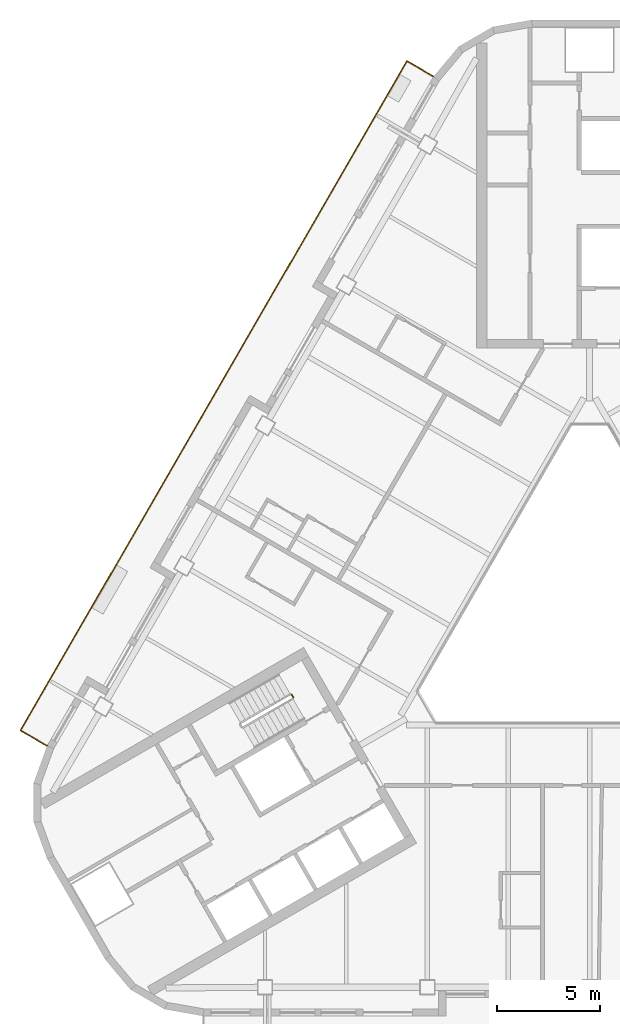
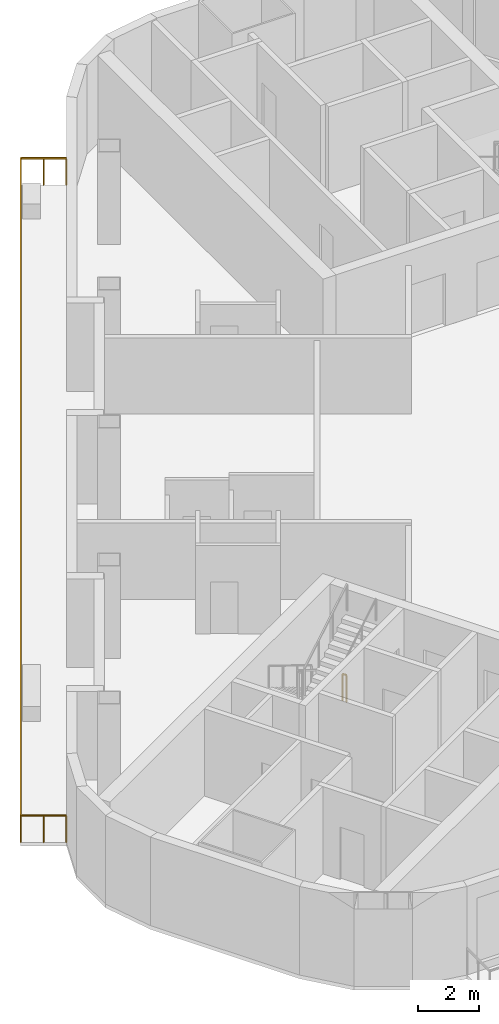
# One storey, part 11 of 14: 2 railings.
"""IFC4 building model written with IfcOpenShell, lengths in metres."""

from ifc_helpers import new_model, si_unit, direction, frame, origin, origin_2d, place, context, subcontext, project, spatial, rectangle, extrude, material, type_object, element, save


model = new_model("IFC4")

# Units and contexts
model_context = context("Model", 3, precision=1e-05, world=origin(), true_north=direction((0.0, 1.0)))
body_context = subcontext(model_context, "Body", "Model", "MODEL_VIEW")
ifc_project = project(units=[si_unit("LENGTHUNIT", "METRE"), si_unit("AREAUNIT", "SQUARE_METRE"), si_unit("VOLUMEUNIT", "CUBIC_METRE"), si_unit("PLANEANGLEUNIT", "RADIAN"), si_unit("MASSUNIT", "GRAM", prefix="KILO")], contexts=[model_context])

# Site, building, storey
site_placement = place(None, origin())
site = spatial("IfcSite", under=ifc_project, at=site_placement, CompositionType="ELEMENT")
building_placement = place(site_placement, origin())
building = spatial("IfcBuilding", under=site, at=building_placement, Name="Apuvela Tower Hotel", CompositionType="ELEMENT")
storey_placement = place(building_placement, frame((0.0, 0.0, 209.5)))
storey = spatial("IfcBuildingStorey", under=building, at=storey_placement, Name="L51", CompositionType="ELEMENT", Elevation=209.5)

# Railings
ifc_material_1 = material(Name="Steel S275 balustrade", Category="steel")
railing_type_1 = type_object("IfcRailingType", Name="COR-GUARD-1100", PredefinedType="GUARDRAIL", material=ifc_material_1)
railing_1_placement = place(storey_placement, frame((-14.500732421875, -3.984130859375, 0.0)))
element("IfcRailing", 1, at=railing_1_placement, inside=storey, type_object=railing_type_1, Name="L51 ST2 stair guard 4", PredefinedType="GUARDRAIL", context=body_context, shape_type="SweptSolid", body=[
    extrude(rectangle(XDim=0.048095703125, YDim=0.048095703125, at=origin_2d()), frame((0.0, 0.0, 1.076171875), z_axis=(0.499816412211, -0.866131372301, 0.0), x_axis=(0.866131372301, 0.499816412211, 0.0)), (0.0, 0.0, 1.0), 0.14990234375),
    extrude(rectangle(XDim=0.0419921875, YDim=0.0419921875, at=origin_2d()), origin(), (0.0, 0.0, 1.0), 1.052001953125),
    extrude(rectangle(XDim=0.0419921875, YDim=0.0419921875, at=origin_2d()), frame((0.074951171875, -0.1298828125, 0.0)), (0.0, 0.0, 1.0), 1.052001953125),
])
ifc_material_2 = material(Name="Stainless steel 316 rail with laminated glass infill", Category="steel")
railing_type_2 = type_object("IfcRailingType", Name="ENV-GUARD-1100", PredefinedType="GUARDRAIL", material=ifc_material_2)
railing_2_placement = place(storey_placement, frame((-7.59228515625, 26.110107421875, 0.0)))
element("IfcRailing", 2, at=railing_2_placement, inside=storey, type_object=railing_type_2, Name="Balcony guard NW L51", PredefinedType="GUARDRAIL", context=body_context, shape_type="SweptSolid", body=[
    extrude(rectangle(XDim=0.050048828125, YDim=0.050048828125, at=origin_2d()), frame((0.0, 0.0, 1.0751953125), z_axis=(-0.86599040064, 0.500060622324, 0.0), x_axis=(-0.500060622324, -0.86599040064, 0.0)), (0.0, 0.0, 1.0), 1.499755859375),
    extrude(rectangle(XDim=0.050048828125, YDim=0.050048828125, at=origin_2d()), frame((-1.298828125, 0.75, 1.0751953125), z_axis=(-0.500000437506, -0.86602515119, 0.0), x_axis=(0.86602515119, -0.500000437506, 0.0)), (0.0, 0.0, 1.0), 37.6318359375),
    extrude(rectangle(XDim=0.050048828125, YDim=0.050048828125, at=origin_2d()), frame((-20.11474609375, -31.840087890625, 1.0751953125), z_axis=(0.866031096941, -0.499990139034, 0.0), x_axis=(0.499990139034, 0.866031096941, 0.0)), (0.0, 0.0, 1.0), 1.5),
    extrude(rectangle(XDim=0.0400390625, YDim=0.0400390625, at=origin_2d()), origin(), (0.0, 0.0, 1.0), 1.050048828125),
    extrude(rectangle(XDim=0.0400390625, YDim=0.0400390625, at=origin_2d()), frame((-0.6494140625, 0.375, 0.0)), (0.0, 0.0, 1.0), 1.050048828125),
    extrude(rectangle(XDim=0.0400390625, YDim=0.0400390625, at=origin_2d()), frame((-1.298828125, 0.75, 0.0)), (0.0, 0.0, 1.0), 1.050048828125),
    extrude(rectangle(XDim=0.0400390625, YDim=0.0400390625, at=origin_2d()), frame((-1.88671875, -0.2685546875, 0.0)), (0.0, 0.0, 1.0), 1.050048828125),
    extrude(rectangle(XDim=0.0400390625, YDim=0.0400390625, at=origin_2d()), frame((-2.474853515625, -1.286865234375, 0.0)), (0.0, 0.0, 1.0), 1.050048828125),
    extrude(rectangle(XDim=0.0400390625, YDim=0.0400390625, at=origin_2d()), frame((-3.062744140625, -2.305419921875, 0.0)), (0.0, 0.0, 1.0), 1.050048828125),
    extrude(rectangle(XDim=0.0400390625, YDim=0.0400390625, at=origin_2d()), frame((-3.65087890625, -3.32373046875, 0.0)), (0.0, 0.0, 1.0), 1.050048828125),
    extrude(rectangle(XDim=0.0400390625, YDim=0.0400390625, at=origin_2d()), frame((-4.23876953125, -4.34228515625, 0.0)), (0.0, 0.0, 1.0), 1.050048828125),
    extrude(rectangle(XDim=0.0400390625, YDim=0.0400390625, at=origin_2d()), frame((-4.826904296875, -5.360595703125, 0.0)), (0.0, 0.0, 1.0), 1.050048828125),
    extrude(rectangle(XDim=0.0400390625, YDim=0.0400390625, at=origin_2d()), frame((-5.414794921875, -6.379150390625, 0.0)), (0.0, 0.0, 1.0), 1.050048828125),
    extrude(rectangle(XDim=0.0400390625, YDim=0.0400390625, at=origin_2d()), frame((-6.0029296875, -7.3974609375, 0.0)), (0.0, 0.0, 1.0), 1.050048828125),
    extrude(rectangle(XDim=0.0400390625, YDim=0.0400390625, at=origin_2d()), frame((-6.5908203125, -8.416015625, 0.0)), (0.0, 0.0, 1.0), 1.050048828125),
    extrude(rectangle(XDim=0.0400390625, YDim=0.0400390625, at=origin_2d()), frame((-7.1787109375, -9.434326171875, 0.0)), (0.0, 0.0, 1.0), 1.050048828125),
    extrude(rectangle(XDim=0.0400390625, YDim=0.0400390625, at=origin_2d()), frame((-7.766845703125, -10.452880859375, 0.0)), (0.0, 0.0, 1.0), 1.050048828125),
    extrude(rectangle(XDim=0.0400390625, YDim=0.0400390625, at=origin_2d()), frame((-8.354736328125, -11.47119140625, 0.0)), (0.0, 0.0, 1.0), 1.050048828125),
    extrude(rectangle(XDim=0.0400390625, YDim=0.0400390625, at=origin_2d()), frame((-8.94287109375, -12.48974609375, 0.0)), (0.0, 0.0, 1.0), 1.050048828125),
    extrude(rectangle(XDim=0.0400390625, YDim=0.0400390625, at=origin_2d()), frame((-9.53076171875, -13.508056640625, 0.0)), (0.0, 0.0, 1.0), 1.050048828125),
    extrude(rectangle(XDim=0.0400390625, YDim=0.0400390625, at=origin_2d()), frame((-10.118896484375, -14.526611328125, 0.0)), (0.0, 0.0, 1.0), 1.050048828125),
    extrude(rectangle(XDim=0.0400390625, YDim=0.0400390625, at=origin_2d()), frame((-10.706787109375, -15.544921875, 0.0)), (0.0, 0.0, 1.0), 1.050048828125),
    extrude(rectangle(XDim=0.0400390625, YDim=0.0400390625, at=origin_2d()), frame((-11.294677734375, -16.5634765625, 0.0)), (0.0, 0.0, 1.0), 1.050048828125),
    extrude(rectangle(XDim=0.0400390625, YDim=0.0400390625, at=origin_2d()), frame((-11.8828125, -17.58203125, 0.0)), (0.0, 0.0, 1.0), 1.050048828125),
    extrude(rectangle(XDim=0.0400390625, YDim=0.0400390625, at=origin_2d()), frame((-12.470703125, -18.600341796875, 0.0)), (0.0, 0.0, 1.0), 1.050048828125),
    extrude(rectangle(XDim=0.0400390625, YDim=0.0400390625, at=origin_2d()), frame((-13.058837890625, -19.618896484375, 0.0)), (0.0, 0.0, 1.0), 1.050048828125),
    extrude(rectangle(XDim=0.0400390625, YDim=0.0400390625, at=origin_2d()), frame((-13.646728515625, -20.63720703125, 0.0)), (0.0, 0.0, 1.0), 1.050048828125),
    extrude(rectangle(XDim=0.0400390625, YDim=0.0400390625, at=origin_2d()), frame((-14.23486328125, -21.65576171875, 0.0)), (0.0, 0.0, 1.0), 1.050048828125),
    extrude(rectangle(XDim=0.0400390625, YDim=0.0400390625, at=origin_2d()), frame((-14.82275390625, -22.674072265625, 0.0)), (0.0, 0.0, 1.0), 1.050048828125),
    extrude(rectangle(XDim=0.0400390625, YDim=0.0400390625, at=origin_2d()), frame((-15.41064453125, -23.692626953125, 0.0)), (0.0, 0.0, 1.0), 1.050048828125),
    extrude(rectangle(XDim=0.0400390625, YDim=0.0400390625, at=origin_2d()), frame((-15.998779296875, -24.7109375, 0.0)), (0.0, 0.0, 1.0), 1.050048828125),
    extrude(rectangle(XDim=0.0400390625, YDim=0.0400390625, at=origin_2d()), frame((-16.586669921875, -25.7294921875, 0.0)), (0.0, 0.0, 1.0), 1.050048828125),
    extrude(rectangle(XDim=0.0400390625, YDim=0.0400390625, at=origin_2d()), frame((-17.1748046875, -26.747802734375, 0.0)), (0.0, 0.0, 1.0), 1.050048828125),
    extrude(rectangle(XDim=0.0400390625, YDim=0.0400390625, at=origin_2d()), frame((-17.7626953125, -27.766357421875, 0.0)), (0.0, 0.0, 1.0), 1.050048828125),
    extrude(rectangle(XDim=0.0400390625, YDim=0.0400390625, at=origin_2d()), frame((-18.350830078125, -28.78466796875, 0.0)), (0.0, 0.0, 1.0), 1.050048828125),
    extrude(rectangle(XDim=0.0400390625, YDim=0.0400390625, at=origin_2d()), frame((-18.938720703125, -29.80322265625, 0.0)), (0.0, 0.0, 1.0), 1.050048828125),
    extrude(rectangle(XDim=0.0400390625, YDim=0.0400390625, at=origin_2d()), frame((-19.52685546875, -30.821533203125, 0.0)), (0.0, 0.0, 1.0), 1.050048828125),
    extrude(rectangle(XDim=0.0400390625, YDim=0.0400390625, at=origin_2d()), frame((-20.11474609375, -31.840087890625, 0.0)), (0.0, 0.0, 1.0), 1.050048828125),
    extrude(rectangle(XDim=0.0400390625, YDim=0.0400390625, at=origin_2d()), frame((-19.46533203125, -32.215087890625, 0.0)), (0.0, 0.0, 1.0), 1.050048828125),
    extrude(rectangle(XDim=0.0400390625, YDim=0.0400390625, at=origin_2d()), frame((-18.815673828125, -32.590087890625, 0.0)), (0.0, 0.0, 1.0), 1.050048828125),
])

save(model, "model.ifc")
